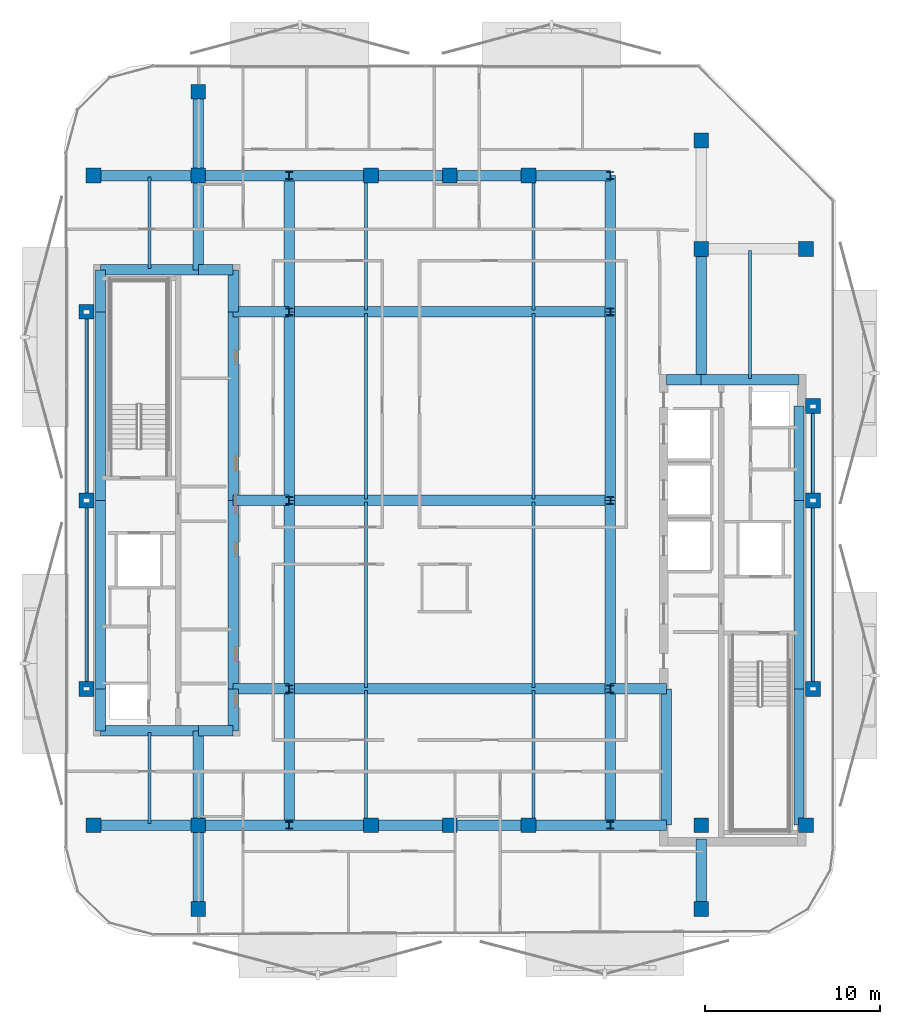
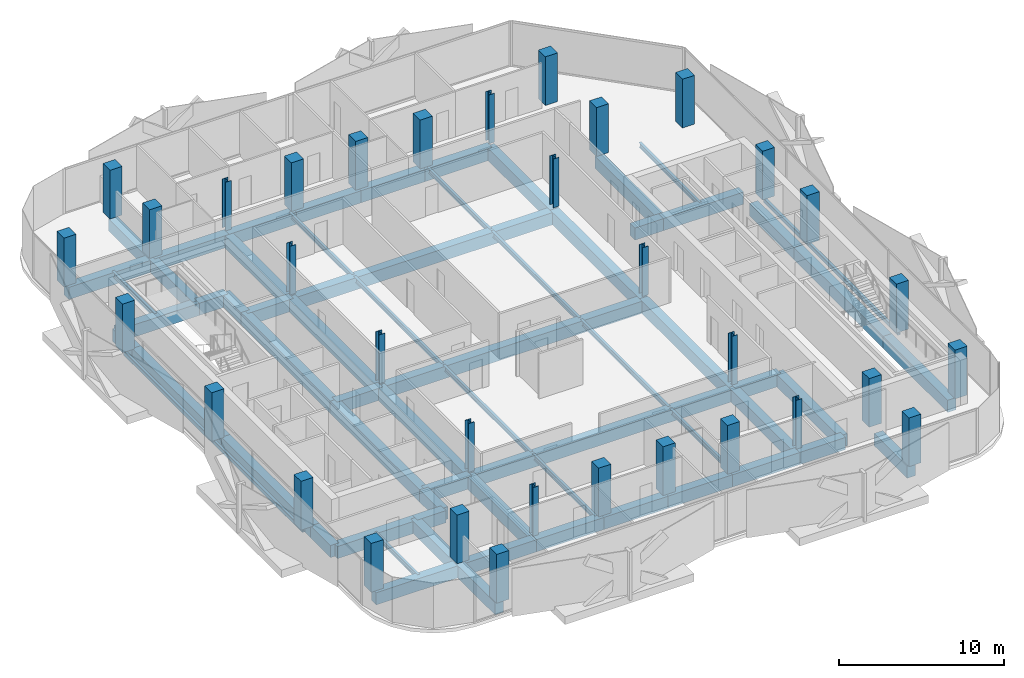
# One storey, part 1 of 16: 67 beams, 34 columns.
"""IFC4 building model written with IfcOpenShell, lengths in metres."""

import ifcopenshell
import ifcopenshell.guid

model = None  # the IFC model being written
_history = None  # IfcOwnerHistory: only IFC2X3 demands one
_inside = {}  # id of a spatial element -> (the spatial element, [elements in it])
_under = {}  # id of a project, library or spatial element -> (it, [spatial elements below it])
_declared = {}  # id of a project -> (the project, [libraries it declares])
_typed = {}  # id of a type object -> (the type object, [elements of that type])
_made_of = {}  # id of a material, layer set ... -> (it, [elements and type objects made of it])


def new_model(schema):
    """Start an empty IFC model of exactly this schema.

    Asked for "IFC4X3", IfcOpenShell would pick the latest addendum, in which some entities
    have other attributes; the version numbers below select the first issue.
    IFC2X3 requires an IfcOwnerHistory on every rooted entity: one is made here for all.
    """
    global model, _history
    if schema == "IFC4X3":
        model = ifcopenshell.file(schema_version=(4, 3, 0, 0))
    else:
        model = ifcopenshell.file(schema=schema)
    _inside.clear()
    _under.clear()
    _declared.clear()
    _typed.clear()
    _made_of.clear()
    _history = None
    if model.schema == "IFC2X3":
        org = make("IfcOrganization", Name="unknown")
        user = make(
            "IfcPersonAndOrganization",
            ThePerson=make("IfcPerson", FamilyName="unknown"),
            TheOrganization=org,
        )
        app = make(
            "IfcApplication",
            ApplicationDeveloper=org,
            Version="unknown",
            ApplicationFullName="unknown",
            ApplicationIdentifier="unknown",
        )
        _history = make(
            "IfcOwnerHistory",
            OwningUser=user,
            OwningApplication=app,
            ChangeAction="ADDED",
            CreationDate=0,
        )
    return model


def make(cls, **values):
    """One entity of the class cls with the attributes given. An attribute that is None is left unset."""
    return model.create_entity(
        cls, **{name: value for name, value in values.items() if value is not None}
    )


def rooted(cls, **values):
    """An entity with a GlobalId (a new one), such as an element, a storey or a relation."""
    return make(cls, GlobalId=ifcopenshell.guid.new(), OwnerHistory=_history, **values)


def si_unit(unit_type, name, prefix=None):
    """IfcSIUnit, for example si_unit("LENGTHUNIT", "METRE", prefix="MILLI")."""
    return make("IfcSIUnit", UnitType=unit_type, Prefix=prefix, Name=name)


def assignment(units):
    """IfcUnitAssignment: the units of a project."""
    return None if units is None else make("IfcUnitAssignment", Units=units)


def point(xyz):
    """IfcCartesianPoint."""
    return None if xyz is None else make("IfcCartesianPoint", Coordinates=xyz)


def direction(xyz):
    """IfcDirection."""
    return None if xyz is None else make("IfcDirection", DirectionRatios=xyz)


def frame(location, z_axis=None, x_axis=None):
    """IfcAxis2Placement3D, a coordinate frame: its origin and axes. An axis left out is left unset."""
    return make(
        "IfcAxis2Placement3D",
        Location=point(location),
        Axis=direction(z_axis),
        RefDirection=direction(x_axis),
    )


def frame_2d(location, x_axis=None):
    """IfcAxis2Placement2D, a coordinate frame in the plane: its origin and x axis."""
    return make(
        "IfcAxis2Placement2D", Location=point(location), RefDirection=direction(x_axis)
    )


def origin():
    """The frame at (0, 0, 0) with its axes left unset."""
    return frame((0.0, 0.0, 0.0))


def origin_2d():
    """The frame at (0, 0) in the plane with its x axis left unset."""
    return frame_2d((0.0, 0.0))


def place(relative_to, where):
    """IfcLocalPlacement: puts the frame where relative to a parent placement (None: the world)."""
    return make(
        "IfcLocalPlacement", PlacementRelTo=relative_to, RelativePlacement=where
    )


def context(
    kind, dimensions, precision=None, world=None, true_north=None, identifier=None
):
    """IfcGeometricRepresentationContext, for example the 3D "Model" context."""
    return make(
        "IfcGeometricRepresentationContext",
        ContextIdentifier=identifier,
        ContextType=kind,
        CoordinateSpaceDimension=dimensions,
        Precision=precision,
        WorldCoordinateSystem=world,
        TrueNorth=true_north,
    )


def subcontext(parent, identifier, kind, view, scale=None):
    """IfcGeometricRepresentationSubContext, for example "Body" below "Model"."""
    return make(
        "IfcGeometricRepresentationSubContext",
        ContextIdentifier=identifier,
        ContextType=kind,
        ParentContext=parent,
        TargetScale=scale,
        TargetView=view,
    )


def project(units=None, contexts=None):
    """IfcProject with its units and contexts."""
    return rooted(
        "IfcProject",
        Name="project",
        RepresentationContexts=contexts,
        UnitsInContext=assignment(units),
    )


def spatial(cls, under=None, at=None, **own):
    """A site, building, storey or space (cls), placed at a placement, below another one or the project."""
    s = rooted(cls, ObjectPlacement=at, **own)
    if under is not None:
        _under.setdefault(under.id(), (under, []))[1].append(s)
    return s


def profile(cls, at=None, kind="AREA", **sizes):
    """A parametric profile (cls). Its sizes go by their IFC names, for example OverallWidth=200.0."""
    return make(cls, ProfileType=kind, Position=at, **sizes)


def rectangle(**sizes):
    """IfcRectangleProfileDef."""
    return profile("IfcRectangleProfileDef", **sizes)


def hollow_rectangle(**sizes):
    """IfcRectangleHollowProfileDef."""
    return profile("IfcRectangleHollowProfileDef", **sizes)


def i_section(**sizes):
    """IfcIShapeProfileDef."""
    return profile("IfcIShapeProfileDef", **sizes)


def extrude(swept, where, along, depth):
    """IfcExtrudedAreaSolid: the profile swept, set in the frame where, extruded along a direction by depth."""
    return make(
        "IfcExtrudedAreaSolid",
        SweptArea=swept,
        Position=where,
        ExtrudedDirection=direction(along),
        Depth=depth,
    )


def shape(context_of_items, identifier, shape_type, items):
    """IfcShapeRepresentation: the items that make up one representation, for example the "Body"."""
    return make(
        "IfcShapeRepresentation",
        ContextOfItems=context_of_items,
        RepresentationIdentifier=identifier,
        RepresentationType=shape_type,
        Items=items,
    )


def material(Name=None, Category=None):
    """IfcMaterial."""
    return make("IfcMaterial", Name=Name, Category=Category)


def material_profile(
    of_material, cross_section, Name=None, Category=None, Priority=None
):
    """IfcMaterialProfile: a cross section and its material."""
    return make(
        "IfcMaterialProfile",
        Name=Name,
        Material=of_material,
        Profile=cross_section,
        Priority=Priority,
        Category=Category,
    )


def profile_set(profiles, Name=None, composite=None):
    """IfcMaterialProfileSet."""
    return make(
        "IfcMaterialProfileSet",
        Name=Name,
        MaterialProfiles=profiles,
        CompositeProfile=composite,
    )


def made_of(thing, what):
    """Note that an element or type object is made of a material, layer set ...; save() writes the relation."""
    if what is not None:
        _made_of.setdefault(what.id(), (what, []))[1].append(thing)
    return thing


def type_object(cls, material=None, **own):
    """A type object (cls), such as IfcWallType, which elements share."""
    return made_of(rooted(cls, **own), material)


def element(
    cls,
    number,
    at=None,
    inside=None,
    cuts=None,
    type_object=None,
    material=None,
    context=None,
    identifier="Body",
    shape_type=None,
    held_by="IfcProductDefinitionShape",
    body=None,
    shapes=None,
    **own,
):
    """One element of the class cls, such as IfcWall. Its Tag is "e" and its number.

    at: its placement. inside: the storey or other place that contains it. cuts: it is an
    opening in that element (IfcRelVoidsElement). A single representation is given by context,
    identifier, shape_type and body (its items); several are given by shapes. held_by: the class
    of the entity that holds the representations. save() writes the other relations.
    """
    e = rooted(cls, Tag="e%d" % number, ObjectPlacement=at, **own)
    if body is not None:
        shapes = [shape(context, identifier, shape_type, body)]
    if shapes is not None:
        e.Representation = make(held_by, Representations=shapes)
    if inside is not None:
        _inside.setdefault(inside.id(), (inside, []))[1].append(e)
    if cuts is not None:
        rooted(
            "IfcRelVoidsElement", RelatingBuildingElement=cuts, RelatedOpeningElement=e
        )
    if type_object is not None:
        _typed.setdefault(type_object.id(), (type_object, []))[1].append(e)
    return made_of(e, material)


def aggregate(whole, parts):
    """IfcRelAggregates: a whole, such as a stair, and the parts it consists of."""
    return rooted("IfcRelAggregates", RelatingObject=whole, RelatedObjects=parts)


def save(model, path):
    """Write the relations noted so far, then the file.

    IfcRelAggregates (storeys below a building ...), IfcRelContainedInSpatialStructure (elements
    in a storey), IfcRelDefinesByType, IfcRelAssociatesMaterial and IfcRelDeclares: one each for
    every whole, place, type object, material and project.
    """
    for whole, parts in _under.values():
        aggregate(whole, parts)
    for where, things in _inside.values():
        rooted(
            "IfcRelContainedInSpatialStructure",
            RelatedElements=things,
            RelatingStructure=where,
        )
    for kind, things in _typed.values():
        rooted("IfcRelDefinesByType", RelatedObjects=things, RelatingType=kind)
    for what, things in _made_of.values():
        rooted("IfcRelAssociatesMaterial", RelatedObjects=things, RelatingMaterial=what)
    for by, libraries in _declared.values():
        rooted("IfcRelDeclares", RelatingContext=by, RelatedDefinitions=libraries)
    model.write(path)


model = new_model("IFC4")

# Units and contexts
model_context = context("Model", 3, precision=1e-05, world=origin(), true_north=direction((0.0, 1.0)))
body_context = subcontext(model_context, "Body", "Model", "MODEL_VIEW")
ifc_project = project(units=[si_unit("LENGTHUNIT", "METRE"), si_unit("AREAUNIT", "SQUARE_METRE"), si_unit("VOLUMEUNIT", "CUBIC_METRE"), si_unit("PLANEANGLEUNIT", "RADIAN"), si_unit("MASSUNIT", "GRAM", prefix="KILO")], contexts=[model_context])

# Site, building, storey
site_placement = place(None, origin())
site = spatial("IfcSite", under=ifc_project, at=site_placement, CompositionType="ELEMENT")
building_placement = place(site_placement, origin())
building = spatial("IfcBuilding", under=site, at=building_placement, Name="Khairoan Windgate Tower", CompositionType="ELEMENT")
storey_placement = place(building_placement, frame((0.0, 0.0, 258.39990234375)))
storey = spatial("IfcBuildingStorey", under=building, at=storey_placement, Name="L61", CompositionType="ELEMENT", Elevation=258.39990234375)

# Columns
ifc_material_1 = material(Name="Concrete C50/60", Category="concrete")
ifc_material_profile_1 = material_profile(ifc_material_1, rectangle(XDim=0.85009765625, YDim=0.85009765625, at=origin_2d()))
ifc_profile_set_1 = profile_set([ifc_material_profile_1], Name="Concrete C50/60")
column_type_1 = type_object("IfcColumnType", Name="Column C-T5 RC850x850", PredefinedType="COLUMN", material=ifc_profile_set_1)
for number, where, z_axis, x_axis, name in (
    (1, (-20.39990234375, -18.60009765625, 0.0), (0.0, 0.0, 1.0), (1.0, 0.0, 0.0), "Column L61-11"),
    (2, (-20.39990234375, 18.60009765625, 0.0), (0.0, 0.0, 1.0), (1.0, 0.0, 0.0), "Column L61-12"),
    (3, (20.39990234375, -18.60009765625, 0.0), (0.0, 0.0, 1.0), (1.0, 0.0, 0.0), "Column L61-13"),
    (4, (20.39990234375, 14.39990234375, 0.0), (0.0, 0.0, 1.0), (1.0, 0.0, 0.0), "Column L61-14"),
    (5, (-14.39990234375, -18.60009765625, 0.0), (0.0, 0.0, 1.0), (1.0, 0.0, 0.0), "Column L61-15"),
    (6, (-14.39990234375, 18.60009765625, 0.0), (0.0, 0.0, 1.0), (1.0, 0.0, 0.0), "Column L61-16"),
    (7, (14.39990234375, -18.60009765625, 0.0), (0.0, 0.0, 1.0), (1.0, 0.0, 0.0), "Column L61-17"),
    (8, (14.39990234375, 14.39990234375, 0.0), (0.0, 0.0, 1.0), (1.0, 0.0, 0.0), "Column L61-18"),
    (9, (-4.5, -18.60009765625, 0.0), (0.0, 0.0, 1.0), (1.0, 0.0, 0.0), "Column L61-19"),
    (10, (0.0, -18.60009765625, 0.0), (0.0, 0.0, 1.0), (1.0, 0.0, 0.0), "Column L61-20"),
    (11, (4.5, -18.60009765625, 0.0), (0.0, 0.0, 1.0), (1.0, 0.0, 0.0), "Column L61-21"),
    (12, (-4.5, 18.60009765625, 0.0), (0.0, 0.0, 1.0), (1.0, 0.0, 0.0), "Column L61-22"),
    (13, (0.0, 18.60009765625, 0.0), (0.0, 0.0, 1.0), (1.0, 0.0, 0.0), "Column L61-23"),
    (14, (4.5, 18.60009765625, 0.0), (0.0, 0.0, 1.0), (1.0, 0.0, 0.0), "Column L61-24"),
    (15, (-20.800048828125, -10.800048828125, 0.0), (0.0, 0.0, 1.0), (1.0, 0.0, 0.0), "Column L61-25"),
    (16, (-20.800048828125, 0.0, 0.0), (0.0, 0.0, 1.0), (1.0, 0.0, 0.0), "Column L61-26"),
    (17, (-20.800048828125, 10.800048828125, 0.0), (0.0, 0.0, 1.0), (1.0, 0.0, 0.0), "Column L61-27"),
    (18, (20.800048828125, -10.800048828125, 0.0), (0.0, 0.0, 1.0), (1.0, 0.0, 0.0), "Column L61-28"),
    (19, (20.800048828125, 0.0, 0.0), (0.0, 0.0, 1.0), (1.0, 0.0, 0.0), "Column L61-29"),
    (20, (20.800048828125, 5.39990234375, 0.0), (0.0, 0.0, 1.0), (1.0, 0.0, 0.0), "Column L61-30"),
    (21, (-14.39990234375, -23.39990234375, 0.0), (0.0, 0.0, 1.0), (1.0, 0.0, 0.0), "Column L61-31"),
    (22, (-14.39990234375, 23.39990234375, 0.0), (0.0, 0.0, 1.0), (1.0, 0.0, 0.0), "Column L61-32"),
    (23, (14.39990234375, -23.39990234375, 0.0), (0.0, 0.0, 1.0), (1.0, 0.0, 0.0), "Column L61-33"),
    (24, (14.39990234375, 20.60009765625, 0.0), (0.0, 0.0, 1.0), (1.0, 0.0, 0.0), "Column L61-34"),
):
    element("IfcColumn", number, at=place(storey_placement, frame(where, z_axis=z_axis, x_axis=x_axis)), inside=storey, type_object=column_type_1, Name=name, PredefinedType="COLUMN", context=body_context, shape_type="SweptSolid", body=[
        extrude(rectangle(XDim=0.85009765625, YDim=0.85009765625, at=origin_2d()), origin(), (0.0, 0.0, 1.0), 3.60009765625),
    ])
ifc_material_2 = material(Name="Steel S355", Category="steel")
ifc_material_profile_2 = material_profile(ifc_material_2, i_section(OverallWidth=0.406982421875, OverallDepth=0.427978515625, WebThickness=0.02001953125, FlangeThickness=0.034912109375, FilletRadius=0.02197265625, at=origin_2d()))
ifc_profile_set_2 = profile_set([ifc_material_profile_2], Name="Steel S355")
column_type_2 = type_object("IfcColumnType", Name="Steel Column SC3 H428x407x20x35", PredefinedType="COLUMN", material=ifc_profile_set_2)
for number, where, z_axis, x_axis, name in (
    (25, (-9.199951171875, -18.60009765625, 0.0), (0.0, 0.0, 1.0), (1.0, 0.0, 0.0), "Column L61-01"),
    (26, (-9.199951171875, -10.800048828125, 0.0), (0.0, 0.0, 1.0), (1.0, 0.0, 0.0), "Column L61-02"),
    (27, (-9.199951171875, 0.0, 0.0), (0.0, 0.0, 1.0), (1.0, 0.0, 0.0), "Column L61-03"),
    (28, (-9.199951171875, 10.800048828125, 0.0), (0.0, 0.0, 1.0), (1.0, 0.0, 0.0), "Column L61-04"),
    (29, (-9.199951171875, 18.60009765625, 0.0), (0.0, 0.0, 1.0), (1.0, 0.0, 0.0), "Column L61-05"),
    (30, (9.199951171875, -18.60009765625, 0.0), (0.0, 0.0, 1.0), (1.0, 0.0, 0.0), "Column L61-06"),
    (31, (9.199951171875, -10.800048828125, 0.0), (0.0, 0.0, 1.0), (1.0, 0.0, 0.0), "Column L61-07"),
    (32, (9.199951171875, 0.0, 0.0), (0.0, 0.0, 1.0), (1.0, 0.0, 0.0), "Column L61-08"),
    (33, (9.199951171875, 10.800048828125, 0.0), (0.0, 0.0, 1.0), (1.0, 0.0, 0.0), "Column L61-09"),
    (34, (9.199951171875, 18.60009765625, 0.0), (0.0, 0.0, 1.0), (1.0, 0.0, 0.0), "Column L61-10"),
):
    element("IfcColumn", number, at=place(storey_placement, frame(where, z_axis=z_axis, x_axis=x_axis)), inside=storey, type_object=column_type_2, Name=name, PredefinedType="COLUMN", context=body_context, shape_type="SweptSolid", body=[
        extrude(i_section(OverallWidth=0.406982421875, OverallDepth=0.427978515625, WebThickness=0.02001953125, FlangeThickness=0.034912109375, FilletRadius=0.02197265625, at=origin_2d()), origin(), (0.0, 0.0, 1.0), 3.60009765625),
    ])

# Beams
ifc_material_3 = material(Name="Concrete C50/60", Category="concrete")
ifc_material_profile_3 = material_profile(ifc_material_3, rectangle(XDim=0.60009765625, YDim=0.89990234375, at=origin_2d()))
ifc_profile_set_3 = profile_set([ifc_material_profile_3], Name="Concrete C50/60")
beam_type_1 = type_object("IfcBeamType", Name="Beam B-RC1 RC600x900", PredefinedType="BEAM", material=ifc_profile_set_3)
beam_1_placement = place(storey_placement, frame((-20.39990234375, -18.60009765625, -0.7099609375), z_axis=(1.0, 0.0, 0.0), x_axis=(0.0, 1.0, 0.0)))
element("IfcBeam", 35, at=beam_1_placement, inside=storey, type_object=beam_type_1, Name="L61 E-W Primary Girder 01", PredefinedType="BEAM", context=body_context, shape_type="SweptSolid", body=[
    extrude(rectangle(XDim=0.60009765625, YDim=0.89990234375, at=origin_2d()), origin(), (0.0, 0.0, 1.0), 6.0),
])
beam_2_placement = place(storey_placement, frame((-14.39990234375, -18.60009765625, -0.7099609375), z_axis=(1.0, 0.0, 0.0), x_axis=(0.0, 1.0, 0.0)))
element("IfcBeam", 36, at=beam_2_placement, inside=storey, type_object=beam_type_1, Name="L61 E-W Primary Girder 02", PredefinedType="BEAM", context=body_context, shape_type="SweptSolid", body=[
    extrude(rectangle(XDim=0.60009765625, YDim=0.89990234375, at=origin_2d()), origin(), (0.0, 0.0, 1.0), 5.199951171875),
])
beam_3_placement = place(storey_placement, frame((-9.199951171875, -18.60009765625, -0.7099609375), z_axis=(1.0, 0.0, 0.0), x_axis=(0.0, 1.0, 0.0)))
element("IfcBeam", 37, at=beam_3_placement, inside=storey, type_object=beam_type_1, Name="L61 E-W Primary Girder 03", PredefinedType="BEAM", context=body_context, shape_type="SweptSolid", body=[
    extrude(rectangle(XDim=0.60009765625, YDim=0.89990234375, at=origin_2d()), origin(), (0.0, 0.0, 1.0), 4.699951171875),
])
for number, where, z_axis, x_axis, name in (
    (38, (-4.5, -18.60009765625, -0.7099609375), (1.0, 0.0, 0.0), (0.0, 1.0, 0.0), "L61 E-W Primary Girder 04"),
    (39, (0.0, -18.60009765625, -0.7099609375), (1.0, 0.0, 0.0), (0.0, 1.0, 0.0), "L61 E-W Primary Girder 05"),
):
    element("IfcBeam", number, at=place(storey_placement, frame(where, z_axis=z_axis, x_axis=x_axis)), inside=storey, type_object=beam_type_1, Name=name, PredefinedType="BEAM", context=body_context, shape_type="SweptSolid", body=[
        extrude(rectangle(XDim=0.60009765625, YDim=0.89990234375, at=origin_2d()), origin(), (0.0, 0.0, 1.0), 4.5),
    ])
beam_4_placement = place(storey_placement, frame((4.5, -18.60009765625, -0.7099609375), z_axis=(1.0, 0.0, 0.0), x_axis=(0.0, 1.0, 0.0)))
element("IfcBeam", 40, at=beam_4_placement, inside=storey, type_object=beam_type_1, Name="L61 E-W Primary Girder 06", PredefinedType="BEAM", context=body_context, shape_type="SweptSolid", body=[
    extrude(rectangle(XDim=0.60009765625, YDim=0.89990234375, at=origin_2d()), origin(), (0.0, 0.0, 1.0), 4.699951171875),
])
beam_5_placement = place(storey_placement, frame((9.199951171875, -18.60009765625, -0.7099609375), z_axis=(1.0, 0.0, 0.0), x_axis=(0.0, 1.0, 0.0)))
element("IfcBeam", 41, at=beam_5_placement, inside=storey, type_object=beam_type_1, Name="L61 E-W Primary Girder 07", PredefinedType="BEAM", context=body_context, shape_type="SweptSolid", body=[
    extrude(rectangle(XDim=0.60009765625, YDim=0.89990234375, at=origin_2d()), origin(), (0.0, 0.0, 1.0), 3.199951171875),
])
beam_6_placement = place(storey_placement, frame((-20.0, -13.199951171875, -0.7099609375), z_axis=(1.0, 0.0, 0.0), x_axis=(0.0, 1.0, 0.0)))
element("IfcBeam", 42, at=beam_6_placement, inside=storey, type_object=beam_type_1, Name="L61 E-W Primary Girder 08", PredefinedType="BEAM", context=body_context, shape_type="SweptSolid", body=[
    extrude(rectangle(XDim=0.60009765625, YDim=0.89990234375, at=origin_2d()), origin(), (0.0, 0.0, 1.0), 5.60009765625),
])
beam_7_placement = place(storey_placement, frame((-14.39990234375, -13.199951171875, -0.7099609375), z_axis=(1.0, 0.0, 0.0), x_axis=(0.0, 1.0, 0.0)))
element("IfcBeam", 43, at=beam_7_placement, inside=storey, type_object=beam_type_1, Name="L61 E-W Primary Girder 09", PredefinedType="BEAM", context=body_context, shape_type="SweptSolid", body=[
    extrude(rectangle(XDim=0.60009765625, YDim=0.89990234375, at=origin_2d()), origin(), (0.0, 0.0, 1.0), 2.0),
])
beam_8_placement = place(storey_placement, frame((-12.39990234375, -10.800048828125, -0.7099609375), z_axis=(1.0, 0.0, 0.0), x_axis=(0.0, 1.0, 0.0)))
element("IfcBeam", 44, at=beam_8_placement, inside=storey, type_object=beam_type_1, Name="L61 E-W Primary Girder 10", PredefinedType="BEAM", context=body_context, shape_type="SweptSolid", body=[
    extrude(rectangle(XDim=0.60009765625, YDim=0.89990234375, at=origin_2d()), origin(), (0.0, 0.0, 1.0), 3.199951171875),
])
beam_9_placement = place(storey_placement, frame((-9.199951171875, -10.800048828125, -0.7099609375), z_axis=(1.0, 0.0, 0.0), x_axis=(0.0, 1.0, 0.0)))
element("IfcBeam", 45, at=beam_9_placement, inside=storey, type_object=beam_type_1, Name="L61 E-W Primary Girder 11", PredefinedType="BEAM", context=body_context, shape_type="SweptSolid", body=[
    extrude(rectangle(XDim=0.60009765625, YDim=0.89990234375, at=origin_2d()), origin(), (0.0, 0.0, 1.0), 18.39990234375),
])
for number, where, z_axis, x_axis, name in (
    (46, (9.199951171875, -10.800048828125, -0.7099609375), (1.0, 0.0, 0.0), (0.0, 1.0, 0.0), "L61 E-W Primary Girder 12"),
    (47, (-12.39990234375, 0.0, -0.7099609375), (1.0, 0.0, 0.0), (0.0, 1.0, 0.0), "L61 E-W Primary Girder 13"),
):
    element("IfcBeam", number, at=place(storey_placement, frame(where, z_axis=z_axis, x_axis=x_axis)), inside=storey, type_object=beam_type_1, Name=name, PredefinedType="BEAM", context=body_context, shape_type="SweptSolid", body=[
        extrude(rectangle(XDim=0.60009765625, YDim=0.89990234375, at=origin_2d()), origin(), (0.0, 0.0, 1.0), 3.199951171875),
    ])
beam_10_placement = place(storey_placement, frame((-9.199951171875, 0.0, -0.7099609375), z_axis=(1.0, 0.0, 0.0), x_axis=(0.0, 1.0, 0.0)))
element("IfcBeam", 48, at=beam_10_placement, inside=storey, type_object=beam_type_1, Name="L61 E-W Primary Girder 14", PredefinedType="BEAM", context=body_context, shape_type="SweptSolid", body=[
    extrude(rectangle(XDim=0.60009765625, YDim=0.89990234375, at=origin_2d()), origin(), (0.0, 0.0, 1.0), 18.39990234375),
])
beam_11_placement = place(storey_placement, frame((12.39990234375, 6.89990234375, -0.7099609375), z_axis=(1.0, 0.0, 0.0), x_axis=(0.0, 1.0, 0.0)))
element("IfcBeam", 49, at=beam_11_placement, inside=storey, type_object=beam_type_1, Name="L61 E-W Primary Girder 15", PredefinedType="BEAM", context=body_context, shape_type="SweptSolid", body=[
    extrude(rectangle(XDim=0.60009765625, YDim=0.89990234375, at=origin_2d()), origin(), (0.0, 0.0, 1.0), 2.0),
])
beam_12_placement = place(storey_placement, frame((14.39990234375, 6.89990234375, -0.7099609375), z_axis=(1.0, 0.0, 0.0), x_axis=(0.0, 1.0, 0.0)))
element("IfcBeam", 50, at=beam_12_placement, inside=storey, type_object=beam_type_1, Name="L61 E-W Primary Girder 16", PredefinedType="BEAM", context=body_context, shape_type="SweptSolid", body=[
    extrude(rectangle(XDim=0.60009765625, YDim=0.89990234375, at=origin_2d()), origin(), (0.0, 0.0, 1.0), 5.60009765625),
])
beam_13_placement = place(storey_placement, frame((-12.39990234375, 10.800048828125, -0.7099609375), z_axis=(1.0, 0.0, 0.0), x_axis=(0.0, 1.0, 0.0)))
element("IfcBeam", 51, at=beam_13_placement, inside=storey, type_object=beam_type_1, Name="L61 E-W Primary Girder 17", PredefinedType="BEAM", context=body_context, shape_type="SweptSolid", body=[
    extrude(rectangle(XDim=0.60009765625, YDim=0.89990234375, at=origin_2d()), origin(), (0.0, 0.0, 1.0), 3.199951171875),
])
beam_14_placement = place(storey_placement, frame((-9.199951171875, 10.800048828125, -0.7099609375), z_axis=(1.0, 0.0, 0.0), x_axis=(0.0, 1.0, 0.0)))
element("IfcBeam", 52, at=beam_14_placement, inside=storey, type_object=beam_type_1, Name="L61 E-W Primary Girder 18", PredefinedType="BEAM", context=body_context, shape_type="SweptSolid", body=[
    extrude(rectangle(XDim=0.60009765625, YDim=0.89990234375, at=origin_2d()), origin(), (0.0, 0.0, 1.0), 18.39990234375),
])
beam_15_placement = place(storey_placement, frame((-20.0, 13.199951171875, -0.7099609375), z_axis=(1.0, 0.0, 0.0), x_axis=(0.0, 1.0, 0.0)))
element("IfcBeam", 53, at=beam_15_placement, inside=storey, type_object=beam_type_1, Name="L61 E-W Primary Girder 19", PredefinedType="BEAM", context=body_context, shape_type="SweptSolid", body=[
    extrude(rectangle(XDim=0.60009765625, YDim=0.89990234375, at=origin_2d()), origin(), (0.0, 0.0, 1.0), 5.60009765625),
])
beam_16_placement = place(storey_placement, frame((-14.39990234375, 13.199951171875, -0.7099609375), z_axis=(1.0, 0.0, 0.0), x_axis=(0.0, 1.0, 0.0)))
element("IfcBeam", 54, at=beam_16_placement, inside=storey, type_object=beam_type_1, Name="L61 E-W Primary Girder 20", PredefinedType="BEAM", context=body_context, shape_type="SweptSolid", body=[
    extrude(rectangle(XDim=0.60009765625, YDim=0.89990234375, at=origin_2d()), origin(), (0.0, 0.0, 1.0), 2.0),
])
beam_17_placement = place(storey_placement, frame((-20.39990234375, 18.60009765625, -0.7099609375), z_axis=(1.0, 0.0, 0.0), x_axis=(0.0, 1.0, 0.0)))
element("IfcBeam", 55, at=beam_17_placement, inside=storey, type_object=beam_type_1, Name="L61 E-W Primary Girder 22", PredefinedType="BEAM", context=body_context, shape_type="SweptSolid", body=[
    extrude(rectangle(XDim=0.60009765625, YDim=0.89990234375, at=origin_2d()), origin(), (0.0, 0.0, 1.0), 6.0),
])
beam_18_placement = place(storey_placement, frame((-14.39990234375, 18.60009765625, -0.7099609375), z_axis=(1.0, 0.0, 0.0), x_axis=(0.0, 1.0, 0.0)))
element("IfcBeam", 56, at=beam_18_placement, inside=storey, type_object=beam_type_1, Name="L61 E-W Primary Girder 23", PredefinedType="BEAM", context=body_context, shape_type="SweptSolid", body=[
    extrude(rectangle(XDim=0.60009765625, YDim=0.89990234375, at=origin_2d()), origin(), (0.0, 0.0, 1.0), 5.199951171875),
])
beam_19_placement = place(storey_placement, frame((-9.199951171875, 18.60009765625, -0.7099609375), z_axis=(1.0, 0.0, 0.0), x_axis=(0.0, 1.0, 0.0)))
element("IfcBeam", 57, at=beam_19_placement, inside=storey, type_object=beam_type_1, Name="L61 E-W Primary Girder 24", PredefinedType="BEAM", context=body_context, shape_type="SweptSolid", body=[
    extrude(rectangle(XDim=0.60009765625, YDim=0.89990234375, at=origin_2d()), origin(), (0.0, 0.0, 1.0), 4.699951171875),
])
for number, where, z_axis, x_axis, name in (
    (58, (-4.5, 18.60009765625, -0.7099609375), (1.0, 0.0, 0.0), (0.0, 1.0, 0.0), "L61 E-W Primary Girder 25"),
    (59, (0.0, 18.60009765625, -0.7099609375), (1.0, 0.0, 0.0), (0.0, 1.0, 0.0), "L61 E-W Primary Girder 26"),
):
    element("IfcBeam", number, at=place(storey_placement, frame(where, z_axis=z_axis, x_axis=x_axis)), inside=storey, type_object=beam_type_1, Name=name, PredefinedType="BEAM", context=body_context, shape_type="SweptSolid", body=[
        extrude(rectangle(XDim=0.60009765625, YDim=0.89990234375, at=origin_2d()), origin(), (0.0, 0.0, 1.0), 4.5),
    ])
beam_20_placement = place(storey_placement, frame((4.5, 18.60009765625, -0.7099609375), z_axis=(1.0, 0.0, 0.0), x_axis=(0.0, 1.0, 0.0)))
element("IfcBeam", 60, at=beam_20_placement, inside=storey, type_object=beam_type_1, Name="L61 E-W Primary Girder 27", PredefinedType="BEAM", context=body_context, shape_type="SweptSolid", body=[
    extrude(rectangle(XDim=0.60009765625, YDim=0.89990234375, at=origin_2d()), origin(), (0.0, 0.0, 1.0), 4.699951171875),
])
beam_21_placement = place(storey_placement, frame((-20.0, -13.199951171875, -0.7099609375), z_axis=(0.0, 1.0, 0.0), x_axis=(-1.0, 0.0, 0.0)))
element("IfcBeam", 61, at=beam_21_placement, inside=storey, type_object=beam_type_1, Name="L61 N-S Primary Beam 30", PredefinedType="BEAM", context=body_context, shape_type="SweptSolid", body=[
    extrude(rectangle(XDim=0.60009765625, YDim=0.89990234375, at=origin_2d()), origin(), (0.0, 0.0, 1.0), 2.39990234375),
])
for number, where, z_axis, x_axis, name in (
    (62, (-20.0, -10.800048828125, -0.7099609375), (0.0, 1.0, 0.0), (-1.0, 0.0, 0.0), "L61 N-S Primary Beam 31"),
    (63, (-20.0, 0.0, -0.7099609375), (0.0, 1.0, 0.0), (-1.0, 0.0, 0.0), "L61 N-S Primary Beam 32"),
):
    element("IfcBeam", number, at=place(storey_placement, frame(where, z_axis=z_axis, x_axis=x_axis)), inside=storey, type_object=beam_type_1, Name=name, PredefinedType="BEAM", context=body_context, shape_type="SweptSolid", body=[
        extrude(rectangle(XDim=0.60009765625, YDim=0.89990234375, at=origin_2d()), origin(), (0.0, 0.0, 1.0), 10.800048828125),
    ])
beam_22_placement = place(storey_placement, frame((-20.0, 10.800048828125, -0.7099609375), z_axis=(0.0, 1.0, 0.0), x_axis=(-1.0, 0.0, 0.0)))
element("IfcBeam", 64, at=beam_22_placement, inside=storey, type_object=beam_type_1, Name="L61 N-S Primary Beam 33", PredefinedType="BEAM", context=body_context, shape_type="SweptSolid", body=[
    extrude(rectangle(XDim=0.60009765625, YDim=0.89990234375, at=origin_2d()), origin(), (0.0, 0.0, 1.0), 2.39990234375),
])
beam_23_placement = place(storey_placement, frame((-14.39990234375, -23.39990234375, -0.7099609375), z_axis=(0.0, 1.0, 0.0), x_axis=(-1.0, 0.0, 0.0)))
element("IfcBeam", 65, at=beam_23_placement, inside=storey, type_object=beam_type_1, Name="L61 N-S Primary Beam 34", PredefinedType="BEAM", context=body_context, shape_type="SweptSolid", body=[
    extrude(rectangle(XDim=0.60009765625, YDim=0.89990234375, at=origin_2d()), origin(), (0.0, 0.0, 1.0), 4.7998046875),
])
for number, where, z_axis, x_axis, name in (
    (66, (-14.39990234375, -18.60009765625, -0.7099609375), (0.0, 1.0, 0.0), (-1.0, 0.0, 0.0), "L61 N-S Primary Beam 35"),
    (67, (-14.39990234375, 13.199951171875, -0.7099609375), (0.0, 1.0, 0.0), (-1.0, 0.0, 0.0), "L61 N-S Primary Beam 36"),
):
    element("IfcBeam", number, at=place(storey_placement, frame(where, z_axis=z_axis, x_axis=x_axis)), inside=storey, type_object=beam_type_1, Name=name, PredefinedType="BEAM", context=body_context, shape_type="SweptSolid", body=[
        extrude(rectangle(XDim=0.60009765625, YDim=0.89990234375, at=origin_2d()), origin(), (0.0, 0.0, 1.0), 5.400146484375),
    ])
beam_24_placement = place(storey_placement, frame((-14.39990234375, 18.60009765625, -0.7099609375), z_axis=(0.0, 1.0, 0.0), x_axis=(-1.0, 0.0, 0.0)))
element("IfcBeam", 68, at=beam_24_placement, inside=storey, type_object=beam_type_1, Name="L61 N-S Primary Beam 37", PredefinedType="BEAM", context=body_context, shape_type="SweptSolid", body=[
    extrude(rectangle(XDim=0.60009765625, YDim=0.89990234375, at=origin_2d()), origin(), (0.0, 0.0, 1.0), 4.7998046875),
])
beam_25_placement = place(storey_placement, frame((-12.39990234375, -13.199951171875, -0.7099609375), z_axis=(0.0, 1.0, 0.0), x_axis=(-1.0, 0.0, 0.0)))
element("IfcBeam", 69, at=beam_25_placement, inside=storey, type_object=beam_type_1, Name="L61 N-S Primary Beam 38", PredefinedType="BEAM", context=body_context, shape_type="SweptSolid", body=[
    extrude(rectangle(XDim=0.60009765625, YDim=0.89990234375, at=origin_2d()), origin(), (0.0, 0.0, 1.0), 2.39990234375),
])
for number, where, z_axis, x_axis, name in (
    (70, (-12.39990234375, -10.800048828125, -0.7099609375), (0.0, 1.0, 0.0), (-1.0, 0.0, 0.0), "L61 N-S Primary Beam 39"),
    (71, (-12.39990234375, 0.0, -0.7099609375), (0.0, 1.0, 0.0), (-1.0, 0.0, 0.0), "L61 N-S Primary Beam 40"),
):
    element("IfcBeam", number, at=place(storey_placement, frame(where, z_axis=z_axis, x_axis=x_axis)), inside=storey, type_object=beam_type_1, Name=name, PredefinedType="BEAM", context=body_context, shape_type="SweptSolid", body=[
        extrude(rectangle(XDim=0.60009765625, YDim=0.89990234375, at=origin_2d()), origin(), (0.0, 0.0, 1.0), 10.800048828125),
    ])
beam_26_placement = place(storey_placement, frame((-12.39990234375, 10.800048828125, -0.7099609375), z_axis=(0.0, 1.0, 0.0), x_axis=(-1.0, 0.0, 0.0)))
element("IfcBeam", 72, at=beam_26_placement, inside=storey, type_object=beam_type_1, Name="L61 N-S Primary Beam 41", PredefinedType="BEAM", context=body_context, shape_type="SweptSolid", body=[
    extrude(rectangle(XDim=0.60009765625, YDim=0.89990234375, at=origin_2d()), origin(), (0.0, 0.0, 1.0), 2.39990234375),
])
beam_27_placement = place(storey_placement, frame((-9.199951171875, -18.60009765625, -0.7099609375), z_axis=(0.0, 1.0, 0.0), x_axis=(-1.0, 0.0, 0.0)))
element("IfcBeam", 73, at=beam_27_placement, inside=storey, type_object=beam_type_1, Name="L61 N-S Primary Beam 42", PredefinedType="BEAM", context=body_context, shape_type="SweptSolid", body=[
    extrude(rectangle(XDim=0.60009765625, YDim=0.89990234375, at=origin_2d()), origin(), (0.0, 0.0, 1.0), 7.800048828125),
])
for number, where, z_axis, x_axis, name in (
    (74, (-9.199951171875, -10.800048828125, -0.7099609375), (0.0, 1.0, 0.0), (-1.0, 0.0, 0.0), "L61 N-S Primary Beam 43"),
    (75, (-9.199951171875, 0.0, -0.7099609375), (0.0, 1.0, 0.0), (-1.0, 0.0, 0.0), "L61 N-S Primary Beam 44"),
):
    element("IfcBeam", number, at=place(storey_placement, frame(where, z_axis=z_axis, x_axis=x_axis)), inside=storey, type_object=beam_type_1, Name=name, PredefinedType="BEAM", context=body_context, shape_type="SweptSolid", body=[
        extrude(rectangle(XDim=0.60009765625, YDim=0.89990234375, at=origin_2d()), origin(), (0.0, 0.0, 1.0), 10.800048828125),
    ])
for number, where, z_axis, x_axis, name in (
    (76, (-9.199951171875, 10.800048828125, -0.7099609375), (0.0, 1.0, 0.0), (-1.0, 0.0, 0.0), "L61 N-S Primary Beam 45"),
    (77, (9.199951171875, -18.60009765625, -0.7099609375), (0.0, 1.0, 0.0), (-1.0, 0.0, 0.0), "L61 N-S Primary Beam 46"),
):
    element("IfcBeam", number, at=place(storey_placement, frame(where, z_axis=z_axis, x_axis=x_axis)), inside=storey, type_object=beam_type_1, Name=name, PredefinedType="BEAM", context=body_context, shape_type="SweptSolid", body=[
        extrude(rectangle(XDim=0.60009765625, YDim=0.89990234375, at=origin_2d()), origin(), (0.0, 0.0, 1.0), 7.800048828125),
    ])
for number, where, z_axis, x_axis, name in (
    (78, (9.199951171875, -10.800048828125, -0.7099609375), (0.0, 1.0, 0.0), (-1.0, 0.0, 0.0), "L61 N-S Primary Beam 47"),
    (79, (9.199951171875, 0.0, -0.7099609375), (0.0, 1.0, 0.0), (-1.0, 0.0, 0.0), "L61 N-S Primary Beam 48"),
):
    element("IfcBeam", number, at=place(storey_placement, frame(where, z_axis=z_axis, x_axis=x_axis)), inside=storey, type_object=beam_type_1, Name=name, PredefinedType="BEAM", context=body_context, shape_type="SweptSolid", body=[
        extrude(rectangle(XDim=0.60009765625, YDim=0.89990234375, at=origin_2d()), origin(), (0.0, 0.0, 1.0), 10.800048828125),
    ])
for number, where, z_axis, x_axis, name in (
    (80, (9.199951171875, 10.800048828125, -0.7099609375), (0.0, 1.0, 0.0), (-1.0, 0.0, 0.0), "L61 N-S Primary Beam 49"),
    (81, (12.39990234375, -18.60009765625, -0.7099609375), (0.0, 1.0, 0.0), (-1.0, 0.0, 0.0), "L61 N-S Primary Beam 50"),
):
    element("IfcBeam", number, at=place(storey_placement, frame(where, z_axis=z_axis, x_axis=x_axis)), inside=storey, type_object=beam_type_1, Name=name, PredefinedType="BEAM", context=body_context, shape_type="SweptSolid", body=[
        extrude(rectangle(XDim=0.60009765625, YDim=0.89990234375, at=origin_2d()), origin(), (0.0, 0.0, 1.0), 7.800048828125),
    ])
beam_28_placement = place(storey_placement, frame((14.39990234375, -23.39990234375, -0.7099609375), z_axis=(0.0, 1.0, 0.0), x_axis=(-1.0, 0.0, 0.0)))
element("IfcBeam", 82, at=beam_28_placement, inside=storey, type_object=beam_type_1, Name="L61 N-S Primary Beam 51", PredefinedType="BEAM", context=body_context, shape_type="SweptSolid", body=[
    extrude(rectangle(XDim=0.60009765625, YDim=0.89990234375, at=origin_2d()), origin(), (0.0, 0.0, 1.0), 4.0),
])
beam_29_placement = place(storey_placement, frame((14.39990234375, 6.89990234375, -0.7099609375), z_axis=(0.0, 1.0, 0.0), x_axis=(-1.0, 0.0, 0.0)))
element("IfcBeam", 83, at=beam_29_placement, inside=storey, type_object=beam_type_1, Name="L61 N-S Primary Beam 52", PredefinedType="BEAM", context=body_context, shape_type="SweptSolid", body=[
    extrude(rectangle(XDim=0.60009765625, YDim=0.89990234375, at=origin_2d()), origin(), (0.0, 0.0, 1.0), 7.5),
])
beam_30_placement = place(storey_placement, frame((20.0, -18.60009765625, -0.7099609375), z_axis=(0.0, 1.0, 0.0), x_axis=(-1.0, 0.0, 0.0)))
element("IfcBeam", 84, at=beam_30_placement, inside=storey, type_object=beam_type_1, Name="L61 N-S Primary Beam 54", PredefinedType="BEAM", context=body_context, shape_type="SweptSolid", body=[
    extrude(rectangle(XDim=0.60009765625, YDim=0.89990234375, at=origin_2d()), origin(), (0.0, 0.0, 1.0), 7.800048828125),
])
beam_31_placement = place(storey_placement, frame((20.0, -10.800048828125, -0.7099609375), z_axis=(0.0, 1.0, 0.0), x_axis=(-1.0, 0.0, 0.0)))
element("IfcBeam", 85, at=beam_31_placement, inside=storey, type_object=beam_type_1, Name="L61 N-S Primary Beam 55", PredefinedType="BEAM", context=body_context, shape_type="SweptSolid", body=[
    extrude(rectangle(XDim=0.60009765625, YDim=0.89990234375, at=origin_2d()), origin(), (0.0, 0.0, 1.0), 10.800048828125),
])
beam_32_placement = place(storey_placement, frame((20.0, 0.0, -0.7099609375), z_axis=(0.0, 1.0, 0.0), x_axis=(-1.0, 0.0, 0.0)))
element("IfcBeam", 86, at=beam_32_placement, inside=storey, type_object=beam_type_1, Name="L61 N-S Primary Beam 56", PredefinedType="BEAM", context=body_context, shape_type="SweptSolid", body=[
    extrude(rectangle(XDim=0.60009765625, YDim=0.89990234375, at=origin_2d()), origin(), (0.0, 0.0, 1.0), 5.39990234375),
])
ifc_material_4 = material(Name="Steel S355", Category="steel")
ifc_material_profile_4 = material_profile(ifc_material_4, i_section(OverallWidth=0.175048828125, OverallDepth=0.35009765625, WebThickness=0.007080078125, FlangeThickness=0.010986328125, FilletRadius=0.013916015625, at=origin_2d()))
ifc_profile_set_4 = profile_set([ifc_material_profile_4], Name="Steel S355")
beam_type_2 = type_object("IfcBeamType", Name="Beam J-S5 H350x175x7x11", PredefinedType="JOIST", material=ifc_profile_set_4)
for number, where, z_axis, x_axis, name in (
    (87, (-17.199951171875, -18.510009765625, -0.434814453125), (0.0, 1.0, 0.0), (-1.0, 0.0, 0.0), "L61 Secondary Floor Joist 01"),
    (88, (-17.199951171875, 13.2900390625, -0.434814453125), (0.0, 1.0, 0.0), (-1.0, 0.0, 0.0), "L61 Secondary Floor Joist 02"),
):
    element("IfcBeam", number, at=place(storey_placement, frame(where, z_axis=z_axis, x_axis=x_axis)), inside=storey, type_object=beam_type_2, Name=name, PredefinedType="JOIST", context=body_context, shape_type="SweptSolid", body=[
        extrude(i_section(OverallWidth=0.175048828125, OverallDepth=0.35009765625, WebThickness=0.007080078125, FlangeThickness=0.010986328125, FilletRadius=0.013916015625, at=origin_2d()), origin(), (0.0, 0.0, 1.0), 5.219970703125),
    ])
beam_33_placement = place(storey_placement, frame((-4.800048828125, -18.510009765625, -0.434814453125), z_axis=(0.0, 1.0, 0.0), x_axis=(-1.0, 0.0, 0.0)))
element("IfcBeam", 89, at=beam_33_placement, inside=storey, type_object=beam_type_2, Name="L61 Secondary Floor Joist 03", PredefinedType="JOIST", context=body_context, shape_type="SweptSolid", body=[
    extrude(i_section(OverallWidth=0.175048828125, OverallDepth=0.35009765625, WebThickness=0.007080078125, FlangeThickness=0.010986328125, FilletRadius=0.013916015625, at=origin_2d()), origin(), (0.0, 0.0, 1.0), 7.6201171875),
])
for number, where, z_axis, x_axis, name in (
    (90, (-4.800048828125, -10.7099609375, -0.434814453125), (0.0, 1.0, 0.0), (-1.0, 0.0, 0.0), "L61 Secondary Floor Joist 04"),
    (91, (-4.800048828125, 0.090087890625, -0.434814453125), (0.0, 1.0, 0.0), (-1.0, 0.0, 0.0), "L61 Secondary Floor Joist 05"),
):
    element("IfcBeam", number, at=place(storey_placement, frame(where, z_axis=z_axis, x_axis=x_axis)), inside=storey, type_object=beam_type_2, Name=name, PredefinedType="JOIST", context=body_context, shape_type="SweptSolid", body=[
        extrude(i_section(OverallWidth=0.175048828125, OverallDepth=0.35009765625, WebThickness=0.007080078125, FlangeThickness=0.010986328125, FilletRadius=0.013916015625, at=origin_2d()), origin(), (0.0, 0.0, 1.0), 10.619873046875),
    ])
for number, where, z_axis, x_axis, name in (
    (92, (-4.800048828125, 10.889892578125, -0.434814453125), (0.0, 1.0, 0.0), (-1.0, 0.0, 0.0), "L61 Secondary Floor Joist 06"),
    (93, (4.800048828125, -18.510009765625, -0.434814453125), (0.0, 1.0, 0.0), (-1.0, 0.0, 0.0), "L61 Secondary Floor Joist 07"),
):
    element("IfcBeam", number, at=place(storey_placement, frame(where, z_axis=z_axis, x_axis=x_axis)), inside=storey, type_object=beam_type_2, Name=name, PredefinedType="JOIST", context=body_context, shape_type="SweptSolid", body=[
        extrude(i_section(OverallWidth=0.175048828125, OverallDepth=0.35009765625, WebThickness=0.007080078125, FlangeThickness=0.010986328125, FilletRadius=0.013916015625, at=origin_2d()), origin(), (0.0, 0.0, 1.0), 7.6201171875),
    ])
for number, where, z_axis, x_axis, name in (
    (94, (4.800048828125, -10.7099609375, -0.434814453125), (0.0, 1.0, 0.0), (-1.0, 0.0, 0.0), "L61 Secondary Floor Joist 08"),
    (95, (4.800048828125, 0.090087890625, -0.434814453125), (0.0, 1.0, 0.0), (-1.0, 0.0, 0.0), "L61 Secondary Floor Joist 09"),
):
    element("IfcBeam", number, at=place(storey_placement, frame(where, z_axis=z_axis, x_axis=x_axis)), inside=storey, type_object=beam_type_2, Name=name, PredefinedType="JOIST", context=body_context, shape_type="SweptSolid", body=[
        extrude(i_section(OverallWidth=0.175048828125, OverallDepth=0.35009765625, WebThickness=0.007080078125, FlangeThickness=0.010986328125, FilletRadius=0.013916015625, at=origin_2d()), origin(), (0.0, 0.0, 1.0), 10.619873046875),
    ])
beam_34_placement = place(storey_placement, frame((4.800048828125, 10.889892578125, -0.434814453125), z_axis=(0.0, 1.0, 0.0), x_axis=(-1.0, 0.0, 0.0)))
element("IfcBeam", 96, at=beam_34_placement, inside=storey, type_object=beam_type_2, Name="L61 Secondary Floor Joist 10", PredefinedType="JOIST", context=body_context, shape_type="SweptSolid", body=[
    extrude(i_section(OverallWidth=0.175048828125, OverallDepth=0.35009765625, WebThickness=0.007080078125, FlangeThickness=0.010986328125, FilletRadius=0.013916015625, at=origin_2d()), origin(), (0.0, 0.0, 1.0), 7.6201171875),
])
beam_35_placement = place(storey_placement, frame((17.199951171875, 6.989990234375, -0.434814453125), z_axis=(0.0, 1.0, 0.0), x_axis=(-1.0, 0.0, 0.0)))
element("IfcBeam", 97, at=beam_35_placement, inside=storey, type_object=beam_type_2, Name="L61 Secondary Floor Joist 11", PredefinedType="JOIST", context=body_context, shape_type="SweptSolid", body=[
    extrude(i_section(OverallWidth=0.175048828125, OverallDepth=0.35009765625, WebThickness=0.007080078125, FlangeThickness=0.010986328125, FilletRadius=0.013916015625, at=origin_2d()), origin(), (0.0, 0.0, 1.0), 7.320068359375),
])
ifc_material_5 = material(Name="Steel S355", Category="steel")
ifc_material_profile_5 = material_profile(ifc_material_5, hollow_rectangle(XDim=0.199951171875, YDim=0.300048828125, WallThickness=0.012451171875, InnerFilletRadius=0.012451171875, OuterFilletRadius=0.02490234375, at=origin_2d()))
ifc_profile_set_5 = profile_set([ifc_material_profile_5], Name="Steel S355")
beam_type_3 = type_object("IfcBeamType", Name="Beam SP-B3 RHS300x200x12.5", PredefinedType="SPANDREL", material=ifc_profile_set_5)
for number, where, z_axis, x_axis, name in (
    (98, (-20.800048828125, -10.800048828125, -0.409912109375), (0.0, 1.0, 0.0), (-1.0, 0.0, 0.0), "L61 Spandrel Beam 28"),
    (99, (-20.800048828125, 0.0, -0.409912109375), (0.0, 1.0, 0.0), (-1.0, 0.0, 0.0), "L61 Spandrel Beam 29"),
    (100, (20.800048828125, -10.800048828125, -0.409912109375), (0.0, 1.0, 0.0), (-1.0, 0.0, 0.0), "L61 Spandrel Beam 57"),
):
    element("IfcBeam", number, at=place(storey_placement, frame(where, z_axis=z_axis, x_axis=x_axis)), inside=storey, type_object=beam_type_3, Name=name, PredefinedType="SPANDREL", context=body_context, shape_type="SweptSolid", body=[
        extrude(hollow_rectangle(XDim=0.199951171875, YDim=0.300048828125, WallThickness=0.012451171875, InnerFilletRadius=0.012451171875, OuterFilletRadius=0.02490234375, at=origin_2d()), origin(), (0.0, 0.0, 1.0), 10.800048828125),
    ])
beam_36_placement = place(storey_placement, frame((20.800048828125, 0.0, -0.409912109375), z_axis=(0.0, 1.0, 0.0), x_axis=(-1.0, 0.0, 0.0)))
element("IfcBeam", 101, at=beam_36_placement, inside=storey, type_object=beam_type_3, Name="L61 Spandrel Beam 58", PredefinedType="SPANDREL", context=body_context, shape_type="SweptSolid", body=[
    extrude(hollow_rectangle(XDim=0.199951171875, YDim=0.300048828125, WallThickness=0.012451171875, InnerFilletRadius=0.012451171875, OuterFilletRadius=0.02490234375, at=origin_2d()), origin(), (0.0, 0.0, 1.0), 5.39990234375),
])

save(model, "model.ifc")
